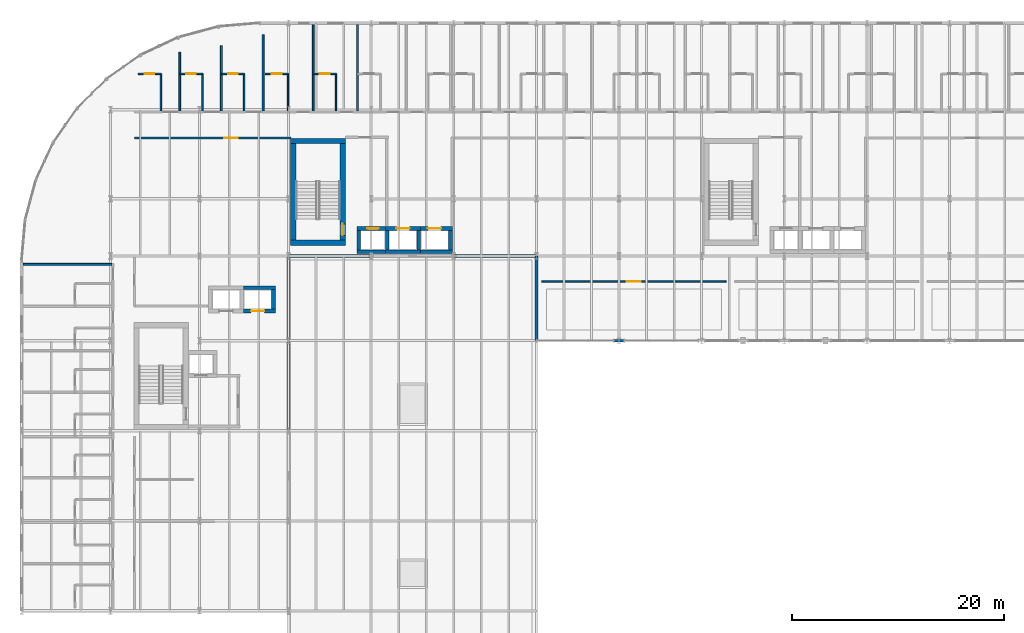
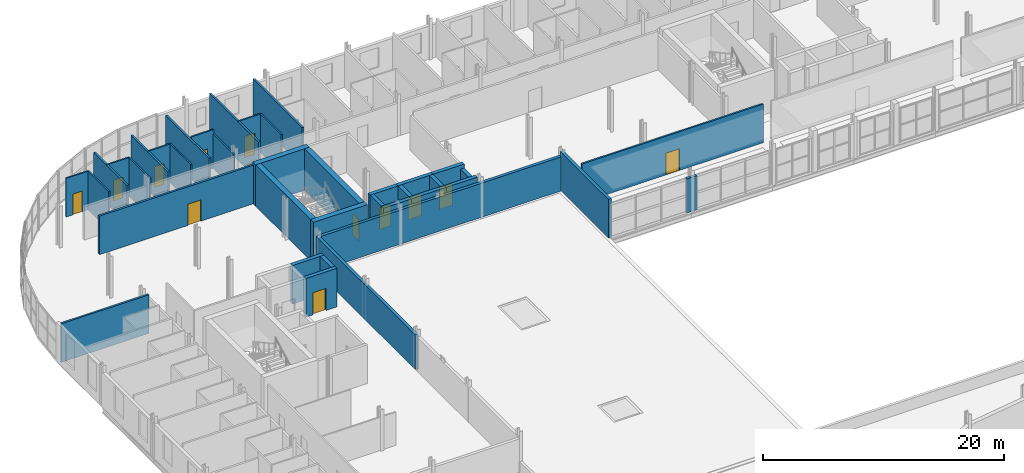
# One storey, part 43 of 58: 39 walls, 12 doors, 12 openings.
"""IFC4 building model written with IfcOpenShell, lengths in metres."""

from ifc_helpers import new_model, si_unit, direction, frame, frame_2d, origin, place, context, subcontext, project, spatial, rectangle, extrude, material, layer, layer_set, type_object, element, fill, save


model = new_model("IFC4")

# Units and contexts
model_context = context("Model", 3, precision=1e-05, world=origin(), true_north=direction((0.0, 1.0)))
body_context = subcontext(model_context, "Body", "Model", "MODEL_VIEW")
ifc_project = project(units=[si_unit("LENGTHUNIT", "METRE"), si_unit("AREAUNIT", "SQUARE_METRE"), si_unit("VOLUMEUNIT", "CUBIC_METRE"), si_unit("PLANEANGLEUNIT", "RADIAN"), si_unit("MASSUNIT", "GRAM", prefix="KILO")], contexts=[model_context])

# Site, building, storey
site_placement = place(None, origin())
site = spatial("IfcSite", under=ifc_project, at=site_placement, CompositionType="ELEMENT")
building_placement = place(site_placement, origin())
building = spatial("IfcBuilding", under=site, at=building_placement, Name="Sefraquen Railside Congress Hotel", CompositionType="ELEMENT")
storey_placement = place(building_placement, frame((0.0, 0.0, 16.199951171875)))
storey = spatial("IfcBuildingStorey", under=building, at=storey_placement, Name="L03", CompositionType="ELEMENT", Elevation=16.199951171875)

# Wall, opening, door
ifc_material_1 = material(Name="Concrete C50/60", Category="concrete")
ifc_layer_1 = layer(ifc_material_1, 0.35009765625)
ifc_layer_set_1 = layer_set([ifc_layer_1], Name="Concrete C50/60")
wall_type_1 = type_object("IfcWallType", Name="TW-CW-350", PredefinedType="SHEAR", material=ifc_layer_set_1)
wall_1_placement = place(storey_placement, frame((31.639892578125, 98.594970703125, 0.0), z_axis=(0.0, 0.0, 1.0), x_axis=(1.0, 0.0, 0.0)))
wall_1 = element("IfcWall", 1, at=wall_1_placement, inside=storey, type_object=wall_type_1, Name="Lift FL-02 shaft wall N L03", PredefinedType="SHEAR", context=body_context, shape_type="SweptSolid", body=[
    extrude(rectangle(XDim=2.690185546875, YDim=0.35009765625, at=frame_2d((1.34521484375, 0.0))), origin(), (0.0, 0.0, 1.0), 3.920166015625),
])
opening_1_placement = place(wall_1_placement, frame((0.969970703125, 0.0, 0.0)))
opening_1 = element("IfcOpeningElement", 2, at=opening_1_placement, cuts=wall_1, Name="Opening LD-01", PredefinedType="OPENING", context=body_context, shape_type="SweptSolid", body=[
    extrude(rectangle(XDim=1.10009765625, YDim=2.199951171875, at=frame_2d((0.550048828125, 1.10009765625))), frame((0.0, 0.18505859375, 0.0), z_axis=(0.0, -1.0, 0.0), x_axis=(1.0, 0.0, 0.0)), (0.0, 0.0, 1.0), 0.3701171875),
])
ifc_material_2 = material(Name="Brushed bronze stainless steel", Category="steel")
door_type_1 = type_object("IfcDoorType", Name="TD-LD-01", OperationType="NOTDEFINED", PredefinedType="DOOR", material=ifc_material_2)
door_1_placement = place(opening_1_placement, origin())
door_1 = element("IfcDoor", 3, at=door_1_placement, inside=storey, type_object=door_type_1, Name="Lift landing door FL-02 L03", OperationType="SLIDING_TO_LEFT", OverallHeight=2.199951171875, OverallWidth=1.10009765625, PredefinedType="DOOR", context=body_context, shape_type="SweptSolid", body=[
    extrude(rectangle(XDim=1.10009765625, YDim=2.199951171875, at=frame_2d((0.550048828125, 1.10009765625))), frame((0.0, 0.02490234375, 0.0), z_axis=(0.0, -1.0, 0.0), x_axis=(1.0, 0.0, 0.0)), (0.0, 0.0, 1.0), 0.050048828125),
])
fill(opening_1, door_1)

# Walls
wall_2_placement = place(storey_placement, frame((31.639892578125, 96.405029296875, 0.0), z_axis=(0.0, 0.0, 1.0), x_axis=(1.0, 0.0, 0.0)))
element("IfcWall", 4, at=wall_2_placement, inside=storey, type_object=wall_type_1, Name="Lift FL-02 shaft wall S L03", PredefinedType="SHEAR", context=body_context, shape_type="SweptSolid", body=[
    extrude(rectangle(XDim=2.690185546875, YDim=0.35009765625, at=frame_2d((1.34521484375, 0.0))), origin(), (0.0, 0.0, 1.0), 3.920166015625),
])
wall_3_placement = place(storey_placement, frame((31.81494140625, 96.580078125, 0.0), z_axis=(0.0, 0.0, 1.0), x_axis=(0.0, 1.0, 0.0)))
element("IfcWall", 5, at=wall_3_placement, inside=storey, type_object=wall_type_1, Name="Lift FL-02 shaft wall W L03", PredefinedType="SHEAR", context=body_context, shape_type="SweptSolid", body=[
    extrude(rectangle(XDim=1.83984375, YDim=0.35009765625, at=frame_2d((0.919921875, 0.0))), origin(), (0.0, 0.0, 1.0), 3.920166015625),
])
wall_4_placement = place(storey_placement, frame((20.969970703125, 92.9951171875, 0.0), z_axis=(0.0, 0.0, 1.0), x_axis=(1.0, 0.0, 0.0)))
element("IfcWall", 6, at=wall_4_placement, inside=storey, type_object=wall_type_1, Name="Lift PL-02 shaft wall N L03", PredefinedType="SHEAR", context=body_context, shape_type="SweptSolid", body=[
    extrude(rectangle(XDim=2.989990234375, YDim=0.35009765625, at=frame_2d((1.4951171875, 0.0))), origin(), (0.0, 0.0, 1.0), 3.920166015625),
])

# Wall, opening, door
wall_5_placement = place(storey_placement, frame((20.969970703125, 90.804931640625, 0.0), z_axis=(0.0, 0.0, 1.0), x_axis=(1.0, 0.0, 0.0)))
wall_5 = element("IfcWall", 7, at=wall_5_placement, inside=storey, type_object=wall_type_1, Name="Lift PL-02 shaft wall S L03", PredefinedType="SHEAR", context=body_context, shape_type="SweptSolid", body=[
    extrude(rectangle(XDim=2.989990234375, YDim=0.35009765625, at=frame_2d((1.4951171875, 0.0))), origin(), (0.0, 0.0, 1.0), 3.920166015625),
])
opening_2_placement = place(wall_5_placement, frame((0.695068359375, 0.0, 0.0)))
opening_2 = element("IfcOpeningElement", 8, at=opening_2_placement, cuts=wall_5, Name="Opening LD-02", PredefinedType="OPENING", context=body_context, shape_type="SweptSolid", body=[
    extrude(rectangle(XDim=1.25, YDim=2.25, at=frame_2d((0.625, 1.125))), frame((0.0, 0.18505859375, 0.0), z_axis=(0.0, -1.0, 0.0), x_axis=(1.0, 0.0, 0.0)), (0.0, 0.0, 1.0), 0.3701171875),
])
ifc_material_3 = material(Name="Brushed stainless steel", Category="steel")
door_type_2 = type_object("IfcDoorType", Name="TD-LD-02", OperationType="NOTDEFINED", PredefinedType="DOOR", material=ifc_material_3)
door_2_placement = place(opening_2_placement, origin())
door_2 = element("IfcDoor", 9, at=door_2_placement, inside=storey, type_object=door_type_2, Name="Lift landing door PL-02 L03", OperationType="SLIDING_TO_LEFT", OverallHeight=2.25, OverallWidth=1.25, PredefinedType="DOOR", context=body_context, shape_type="SweptSolid", body=[
    extrude(rectangle(XDim=1.25, YDim=2.25, at=frame_2d((0.625, 1.125))), frame((0.0, 0.02490234375, 0.0), z_axis=(0.0, -1.0, 0.0), x_axis=(1.0, 0.0, 0.0)), (0.0, 0.0, 1.0), 0.050048828125),
])
fill(opening_2, door_2)

# Wall
wall_6_placement = place(storey_placement, frame((23.784912109375, 90.97998046875, 0.0), z_axis=(0.0, 0.0, 1.0), x_axis=(0.0, 1.0, 0.0)))
element("IfcWall", 10, at=wall_6_placement, inside=storey, type_object=wall_type_1, Name="Lift PL-02 shaft wall E L03", PredefinedType="SHEAR", context=body_context, shape_type="SweptSolid", body=[
    extrude(rectangle(XDim=1.840087890625, YDim=0.35009765625, at=frame_2d((0.919921875, 0.0))), origin(), (0.0, 0.0, 1.0), 3.920166015625),
])

# Wall, opening, door
wall_7_placement = place(storey_placement, frame((34.330078125, 98.594970703125, 0.0), z_axis=(0.0, 0.0, 1.0), x_axis=(1.0, 0.0, 0.0)))
wall_7 = element("IfcWall", 11, at=wall_7_placement, inside=storey, type_object=wall_type_1, Name="Lift PL-03 shaft wall N L03", PredefinedType="SHEAR", context=body_context, shape_type="SweptSolid", body=[
    extrude(rectangle(XDim=3.33984375, YDim=0.35009765625, at=frame_2d((1.669921875, 0.0))), origin(), (0.0, 0.0, 1.0), 3.920166015625),
])
opening_3_placement = place(wall_7_placement, frame((1.044921875, 0.0, 0.0)))
opening_3 = element("IfcOpeningElement", 12, at=opening_3_placement, cuts=wall_7, Name="Opening LD-02", PredefinedType="OPENING", context=body_context, shape_type="SweptSolid", body=[
    extrude(rectangle(XDim=1.25, YDim=2.25, at=frame_2d((0.625, 1.125))), frame((0.0, 0.18505859375, 0.0), z_axis=(0.0, -1.0, 0.0), x_axis=(1.0, 0.0, 0.0)), (0.0, 0.0, 1.0), 0.3701171875),
])
door_3_placement = place(opening_3_placement, origin())
door_3 = element("IfcDoor", 13, at=door_3_placement, inside=storey, type_object=door_type_2, Name="Lift landing door PL-03 L03", OperationType="SLIDING_TO_LEFT", OverallHeight=2.25, OverallWidth=1.25, PredefinedType="DOOR", context=body_context, shape_type="SweptSolid", body=[
    extrude(rectangle(XDim=1.25, YDim=2.25, at=frame_2d((0.625, 1.125))), frame((0.0, 0.02490234375, 0.0), z_axis=(0.0, -1.0, 0.0), x_axis=(1.0, 0.0, 0.0)), (0.0, 0.0, 1.0), 0.050048828125),
])
fill(opening_3, door_3)

# Walls
wall_8_placement = place(storey_placement, frame((34.330078125, 96.405029296875, 0.0), z_axis=(0.0, 0.0, 1.0), x_axis=(1.0, 0.0, 0.0)))
element("IfcWall", 14, at=wall_8_placement, inside=storey, type_object=wall_type_1, Name="Lift PL-03 shaft wall S L03", PredefinedType="SHEAR", context=body_context, shape_type="SweptSolid", body=[
    extrude(rectangle(XDim=3.33984375, YDim=0.35009765625, at=frame_2d((1.669921875, 0.0))), origin(), (0.0, 0.0, 1.0), 3.920166015625),
])
for number, where, z_axis, x_axis, name in (
    (15, (34.5048828125, 96.580078125, 0.0), (0.0, 0.0, 1.0), (0.0, 1.0, 0.0), "Lift PL-03 shaft wall W L03"),
    (16, (37.4951171875, 96.580078125, 0.0), (0.0, 0.0, 1.0), (0.0, 1.0, 0.0), "Lift PL-03 shaft wall E L03"),
):
    element("IfcWall", number, at=place(storey_placement, frame(where, z_axis=z_axis, x_axis=x_axis)), inside=storey, type_object=wall_type_1, Name=name, PredefinedType="SHEAR", context=body_context, shape_type="SweptSolid", body=[
        extrude(rectangle(XDim=1.83984375, YDim=0.35009765625, at=frame_2d((0.919921875, 0.0))), origin(), (0.0, 0.0, 1.0), 3.920166015625),
    ])

# Wall, opening, door
wall_9_placement = place(storey_placement, frame((37.669921875, 98.594970703125, 0.0), z_axis=(0.0, 0.0, 1.0), x_axis=(1.0, 0.0, 0.0)))
wall_9 = element("IfcWall", 17, at=wall_9_placement, inside=storey, type_object=wall_type_1, Name="Lift PL-04 shaft wall N L03", PredefinedType="SHEAR", context=body_context, shape_type="SweptSolid", body=[
    extrude(rectangle(XDim=2.989990234375, YDim=0.35009765625, at=frame_2d((1.4951171875, 0.0))), origin(), (0.0, 0.0, 1.0), 3.920166015625),
])
opening_4_placement = place(wall_9_placement, frame((0.695068359375, 0.0, 0.0)))
opening_4 = element("IfcOpeningElement", 18, at=opening_4_placement, cuts=wall_9, Name="Opening LD-02", PredefinedType="OPENING", context=body_context, shape_type="SweptSolid", body=[
    extrude(rectangle(XDim=1.25, YDim=2.25, at=frame_2d((0.625, 1.125))), frame((0.0, 0.18505859375, 0.0), z_axis=(0.0, -1.0, 0.0), x_axis=(1.0, 0.0, 0.0)), (0.0, 0.0, 1.0), 0.3701171875),
])
door_4_placement = place(opening_4_placement, origin())
door_4 = element("IfcDoor", 19, at=door_4_placement, inside=storey, type_object=door_type_2, Name="Lift landing door PL-04 L03", OperationType="SLIDING_TO_LEFT", OverallHeight=2.25, OverallWidth=1.25, PredefinedType="DOOR", context=body_context, shape_type="SweptSolid", body=[
    extrude(rectangle(XDim=1.25, YDim=2.25, at=frame_2d((0.625, 1.125))), frame((0.0, 0.02490234375, 0.0), z_axis=(0.0, -1.0, 0.0), x_axis=(1.0, 0.0, 0.0)), (0.0, 0.0, 1.0), 0.050048828125),
])
fill(opening_4, door_4)

# Walls
wall_10_placement = place(storey_placement, frame((37.669921875, 96.405029296875, 0.0), z_axis=(0.0, 0.0, 1.0), x_axis=(1.0, 0.0, 0.0)))
element("IfcWall", 20, at=wall_10_placement, inside=storey, type_object=wall_type_1, Name="Lift PL-04 shaft wall S L03", PredefinedType="SHEAR", context=body_context, shape_type="SweptSolid", body=[
    extrude(rectangle(XDim=2.989990234375, YDim=0.35009765625, at=frame_2d((1.4951171875, 0.0))), origin(), (0.0, 0.0, 1.0), 3.920166015625),
])
wall_11_placement = place(storey_placement, frame((40.485107421875, 96.580078125, 0.0), z_axis=(0.0, 0.0, 1.0), x_axis=(0.0, 1.0, 0.0)))
element("IfcWall", 21, at=wall_11_placement, inside=storey, type_object=wall_type_1, Name="Lift PL-04 shaft wall E L03", PredefinedType="SHEAR", context=body_context, shape_type="SweptSolid", body=[
    extrude(rectangle(XDim=1.83984375, YDim=0.35009765625, at=frame_2d((0.919921875, 0.0))), origin(), (0.0, 0.0, 1.0), 3.510009765625),
])
ifc_layer_2 = layer(ifc_material_1, 0.5)
ifc_layer_set_2 = layer_set([ifc_layer_2], Name="Concrete C50/60")
wall_type_2 = type_object("IfcWallType", Name="TW-CW-500", PredefinedType="SHEAR", material=ifc_layer_set_2)
for number, where, z_axis, x_axis, name in (
    (22, (25.39990234375, 106.862060546875, 0.0), (0.0, 0.0, 1.0), (1.0, 0.0, 0.0), "Core shear wall ST-H02 N L03"),
    (23, (25.39990234375, 97.25, 0.0), (0.0, 0.0, 1.0), (1.0, 0.0, 0.0), "Core shear wall ST-H02 S L03"),
):
    element("IfcWall", number, at=place(storey_placement, frame(where, z_axis=z_axis, x_axis=x_axis)), inside=storey, type_object=wall_type_2, Name=name, PredefinedType="SHEAR", context=body_context, shape_type="SweptSolid", body=[
        extrude(rectangle(XDim=5.16015625, YDim=0.5, at=frame_2d((2.580078125, 0.0))), origin(), (0.0, 0.0, 1.0), 4.199951171875),
    ])
wall_12_placement = place(storey_placement, frame((25.64990234375, 97.5, 0.0), z_axis=(0.0, 0.0, 1.0), x_axis=(0.0, 1.0, 0.0)))
element("IfcWall", 24, at=wall_12_placement, inside=storey, type_object=wall_type_2, Name="Core shear wall ST-H02 W L03", PredefinedType="SHEAR", context=body_context, shape_type="SweptSolid", body=[
    extrude(rectangle(XDim=9.112060546875, YDim=0.5, at=frame_2d((4.55615234375, 0.0))), origin(), (0.0, 0.0, 1.0), 4.199951171875),
])

# Wall, opening, door
wall_13_placement = place(storey_placement, frame((30.31005859375, 97.5, 0.0), z_axis=(0.0, 0.0, 1.0), x_axis=(0.0, 1.0, 0.0)))
wall_13 = element("IfcWall", 25, at=wall_13_placement, inside=storey, type_object=wall_type_2, Name="Core shear wall ST-H02 E L03", PredefinedType="SHEAR", context=body_context, shape_type="SweptSolid", body=[
    extrude(rectangle(XDim=9.112060546875, YDim=0.5, at=frame_2d((4.55615234375, 0.0))), origin(), (0.0, 0.0, 1.0), 4.199951171875),
])
opening_5_placement = place(wall_13_placement, frame((0.43994140625, 0.0, 0.0)))
opening_5 = element("IfcOpeningElement", 26, at=opening_5_placement, cuts=wall_13, Name="Opening FD-04", PredefinedType="OPENING", context=body_context, shape_type="SweptSolid", body=[
    extrude(rectangle(XDim=1.10009765625, YDim=2.199951171875, at=frame_2d((0.550048828125, 1.10009765625))), frame((0.0, 0.260009765625, 0.0), z_axis=(0.0, -1.0, 0.0), x_axis=(1.0, 0.0, 0.0)), (0.0, 0.0, 1.0), 0.52001953125),
])
ifc_material_4 = material(Name="Fire-rated steel", Category="steel")
door_type_3 = type_object("IfcDoorType", Name="TD-FD-04", OperationType="NOTDEFINED", PredefinedType="DOOR", material=ifc_material_4)
door_5_placement = place(opening_5_placement, origin())
door_5 = element("IfcDoor", 27, at=door_5_placement, inside=storey, type_object=door_type_3, Name="Pressurized stair ST-H02 fire door L03", OperationType="SINGLE_SWING_LEFT", OverallHeight=2.199951171875, OverallWidth=1.10009765625, PredefinedType="DOOR", context=body_context, shape_type="SweptSolid", body=[
    extrude(rectangle(XDim=1.10009765625, YDim=2.199951171875, at=frame_2d((0.550048828125, 1.10009765625))), frame((0.0, 0.02490234375, 0.0), z_axis=(0.0, -1.0, 0.0), x_axis=(1.0, 0.0, 0.0)), (0.0, 0.0, 1.0), 0.050048828125),
])
fill(opening_5, door_5)

# Walls
ifc_material_5 = material(Name="Ochre Rabat calcarenite limestone and Concrete C40/50 backing", Category="masonry")
ifc_layer_3 = layer(ifc_material_5, 0.280029296875)
ifc_layer_set_3 = layer_set([ifc_layer_3], Name="Ochre Rabat calcarenite limestone and Concrete C40/50 backing")
wall_type_3 = type_object("IfcWallType", Name="TW-EW-280", PredefinedType="STANDARD", material=ifc_layer_set_3)
wall_14_placement = place(storey_placement, frame((55.919921875, 88.0, 0.0), z_axis=(0.0, 0.0, 1.0), x_axis=(1.0, 0.0, 0.0)))
element("IfcWall", 28, at=wall_14_placement, inside=storey, type_object=wall_type_3, Name="Meeting Wing L03 courtyard north curtain wall 1 column pier closure 1", PredefinedType="STANDARD", context=body_context, shape_type="SweptSolid", body=[
    extrude(rectangle(XDim=0.9599609375, YDim=0.260009765625, at=frame_2d((0.47998046875, 0.0))), origin(), (0.0, 0.0, 1.0), 3.4599609375),
])
wall_15_placement = place(storey_placement, frame((48.60009765625, 88.0, 0.0), z_axis=(0.0, 0.0, 1.0), x_axis=(0.0, 1.0, 0.0)))
element("IfcWall", 29, at=wall_15_placement, inside=storey, type_object=wall_type_3, Name="Meeting Wing L03 west terrace-side facade wall", PredefinedType="STANDARD", context=body_context, shape_type="SweptSolid", body=[
    extrude(rectangle(XDim=8.0, YDim=0.280029296875, at=frame_2d((4.0, 0.0))), origin(), (0.0, 0.0, 1.0), 3.920166015625),
])
wall_16_placement = place(storey_placement, frame((25.199951171875, 96.0, 0.0), z_axis=(0.0, 0.0, 1.0), x_axis=(1.0, 0.0, 0.0)))
element("IfcWall", 30, at=wall_16_placement, inside=storey, type_object=wall_type_3, Name="Hotel L03 south west-foyer setback wall", PredefinedType="STANDARD", context=body_context, shape_type="SweptSolid", body=[
    extrude(rectangle(XDim=23.400146484375, YDim=0.280029296875, at=frame_2d((11.7001953125, 0.0))), origin(), (0.0, 0.0, 1.0), 3.4599609375),
])
wall_17_placement = place(storey_placement, frame((25.199951171875, 79.5, 0.0), z_axis=(0.0, 0.0, 1.0), x_axis=(0.0, 1.0, 0.0)))
element("IfcWall", 31, at=wall_17_placement, inside=storey, type_object=wall_type_3, Name="Hotel L03 courtyard return wall", PredefinedType="STANDARD", context=body_context, shape_type="SweptSolid", body=[
    extrude(rectangle(XDim=16.5, YDim=0.280029296875, at=frame_2d((8.25, 0.0))), origin(), (0.0, 0.0, 1.0), 3.510009765625),
])
ifc_material_6 = material(Name="Moisture-resistant gypsum board", Category="gypsum")
ifc_layer_4 = layer(ifc_material_6, 0.139892578125)
ifc_layer_set_4 = layer_set([ifc_layer_4], Name="Moisture-resistant gypsum board")
wall_type_4 = type_object("IfcWallType", Name="TW-PW-140", PredefinedType="PARTITIONING", material=ifc_layer_set_4)
wall_18_placement = place(storey_placement, frame((25.14990234375, 109.699951171875, 0.0), z_axis=(0.0, 0.0, 1.0), x_axis=(0.0, 1.0, 0.0)))
element("IfcWall", 32, at=wall_18_placement, inside=storey, type_object=wall_type_4, Name="En-suite bathroom east wall RM-001", PredefinedType="PARTITIONING", context=body_context, shape_type="SweptSolid", body=[
    extrude(rectangle(XDim=3.5, YDim=0.139892578125, at=frame_2d((1.75, 0.0))), origin(), (0.0, 0.0, 1.0), 3.510009765625),
])

# Wall, opening, door
wall_19_placement = place(storey_placement, frame((23.0, 113.199951171875, 0.0), z_axis=(0.0, 0.0, 1.0), x_axis=(1.0, 0.0, 0.0)))
wall_19 = element("IfcWall", 33, at=wall_19_placement, inside=storey, type_object=wall_type_4, Name="En-suite bathroom north wall RM-001", PredefinedType="PARTITIONING", context=body_context, shape_type="SweptSolid", body=[
    extrude(rectangle(XDim=2.14990234375, YDim=0.139892578125, at=frame_2d((1.074951171875, 0.0))), origin(), (0.0, 0.0, 1.0), 3.920166015625),
])
opening_6_placement = place(wall_19_placement, frame((0.60498046875, 0.0, 0.0)))
opening_6 = element("IfcOpeningElement", 34, at=opening_6_placement, cuts=wall_19, Name="Opening ID-01", PredefinedType="OPENING", context=body_context, shape_type="SweptSolid", body=[
    extrude(rectangle(XDim=0.93994140625, YDim=2.14990234375, at=frame_2d((0.469970703125, 1.074951171875))), frame((0.0, 0.079833984375, 0.0), z_axis=(0.0, -1.0, 0.0), x_axis=(1.0, 0.0, 0.0)), (0.0, 0.0, 1.0), 0.159912109375),
])
ifc_material_7 = material(Name="Lacquered cedar joinery", Category="wood")
door_type_4 = type_object("IfcDoorType", Name="TD-ID-01", OperationType="NOTDEFINED", PredefinedType="DOOR", material=ifc_material_7)
door_6_placement = place(opening_6_placement, origin())
door_6 = element("IfcDoor", 35, at=door_6_placement, inside=storey, type_object=door_type_4, Name="En-suite bathroom door RM-001", OperationType="SINGLE_SWING_LEFT", OverallHeight=2.14990234375, OverallWidth=0.93994140625, PredefinedType="DOOR", context=body_context, shape_type="SweptSolid", body=[
    extrude(rectangle(XDim=0.93994140625, YDim=2.14990234375, at=frame_2d((0.469970703125, 1.074951171875))), frame((0.0, 0.02490234375, 0.0), z_axis=(0.0, -1.0, 0.0), x_axis=(1.0, 0.0, 0.0)), (0.0, 0.0, 1.0), 0.050048828125),
])
fill(opening_6, door_6)

# Wall
wall_20_placement = place(storey_placement, frame((29.680908203125, 109.699951171875, 0.0), z_axis=(0.0, 0.0, 1.0), x_axis=(0.0, 1.0, 0.0)))
element("IfcWall", 36, at=wall_20_placement, inside=storey, type_object=wall_type_4, Name="En-suite bathroom east wall RM-002", PredefinedType="PARTITIONING", context=body_context, shape_type="SweptSolid", body=[
    extrude(rectangle(XDim=3.5, YDim=0.139892578125, at=frame_2d((1.75, 0.0))), origin(), (0.0, 0.0, 1.0), 3.920166015625),
])

# Wall, opening, door
wall_21_placement = place(storey_placement, frame((27.531005859375, 113.199951171875, 0.0), z_axis=(0.0, 0.0, 1.0), x_axis=(1.0, 0.0, 0.0)))
wall_21 = element("IfcWall", 37, at=wall_21_placement, inside=storey, type_object=wall_type_4, Name="En-suite bathroom north wall RM-002", PredefinedType="PARTITIONING", context=body_context, shape_type="SweptSolid", body=[
    extrude(rectangle(XDim=2.14990234375, YDim=0.139892578125, at=frame_2d((1.074951171875, 0.0))), origin(), (0.0, 0.0, 1.0), 3.920166015625),
])
opening_7_placement = place(wall_21_placement, frame((0.60498046875, 0.0, 0.0)))
opening_7 = element("IfcOpeningElement", 38, at=opening_7_placement, cuts=wall_21, Name="Opening ID-01", PredefinedType="OPENING", context=body_context, shape_type="SweptSolid", body=[
    extrude(rectangle(XDim=0.93994140625, YDim=2.14990234375, at=frame_2d((0.469970703125, 1.074951171875))), frame((0.0, 0.079833984375, 0.0), z_axis=(0.0, -1.0, 0.0), x_axis=(1.0, 0.0, 0.0)), (0.0, 0.0, 1.0), 0.159912109375),
])
door_7_placement = place(opening_7_placement, origin())
door_7 = element("IfcDoor", 39, at=door_7_placement, inside=storey, type_object=door_type_4, Name="En-suite bathroom door RM-002", OperationType="SINGLE_SWING_LEFT", OverallHeight=2.14990234375, OverallWidth=0.93994140625, PredefinedType="DOOR", context=body_context, shape_type="SweptSolid", body=[
    extrude(rectangle(XDim=0.93994140625, YDim=2.14990234375, at=frame_2d((0.469970703125, 1.074951171875))), frame((0.0, 0.02490234375, 0.0), z_axis=(0.0, -1.0, 0.0), x_axis=(1.0, 0.0, 0.0)), (0.0, 0.0, 1.0), 0.050048828125),
])
fill(opening_7, door_7)

# Wall
wall_22_placement = place(storey_placement, frame((13.14990234375, 109.699951171875, 0.0), z_axis=(0.0, 0.0, 1.0), x_axis=(0.0, 1.0, 0.0)))
element("IfcWall", 40, at=wall_22_placement, inside=storey, type_object=wall_type_4, Name="En-suite bathroom east wall RM-031", PredefinedType="PARTITIONING", context=body_context, shape_type="SweptSolid", body=[
    extrude(rectangle(XDim=3.5, YDim=0.139892578125, at=frame_2d((1.75, 0.0))), origin(), (0.0, 0.0, 1.0), 3.920166015625),
])

# Wall, opening, door
wall_23_placement = place(storey_placement, frame((11.0, 113.199951171875, 0.0), z_axis=(0.0, 0.0, 1.0), x_axis=(1.0, 0.0, 0.0)))
wall_23 = element("IfcWall", 41, at=wall_23_placement, inside=storey, type_object=wall_type_4, Name="En-suite bathroom north wall RM-031", PredefinedType="PARTITIONING", context=body_context, shape_type="SweptSolid", body=[
    extrude(rectangle(XDim=2.14990234375, YDim=0.139892578125, at=frame_2d((1.074951171875, 0.0))), origin(), (0.0, 0.0, 1.0), 3.920166015625),
])
opening_8_placement = place(wall_23_placement, frame((0.625, 0.0, 0.0)))
opening_8 = element("IfcOpeningElement", 42, at=opening_8_placement, cuts=wall_23, Name="Opening ID-02", PredefinedType="OPENING", context=body_context, shape_type="SweptSolid", body=[
    extrude(rectangle(XDim=0.89990234375, YDim=2.10009765625, at=frame_2d((0.449951171875, 1.050048828125))), frame((0.0, 0.079833984375, 0.0), z_axis=(0.0, -1.0, 0.0), x_axis=(1.0, 0.0, 0.0)), (0.0, 0.0, 1.0), 0.159912109375),
])
door_type_5 = type_object("IfcDoorType", Name="TD-ID-02", OperationType="NOTDEFINED", PredefinedType="DOOR", material=ifc_material_7)
door_8_placement = place(opening_8_placement, origin())
door_8 = element("IfcDoor", 43, at=door_8_placement, inside=storey, type_object=door_type_5, Name="En-suite bathroom door RM-031", OperationType="SINGLE_SWING_RIGHT", OverallHeight=2.10009765625, OverallWidth=0.89990234375, PredefinedType="DOOR", context=body_context, shape_type="SweptSolid", body=[
    extrude(rectangle(XDim=0.89990234375, YDim=2.10009765625, at=frame_2d((0.449951171875, 1.050048828125))), frame((0.0, 0.02490234375, 0.0), z_axis=(0.0, -1.0, 0.0), x_axis=(1.0, 0.0, 0.0)), (0.0, 0.0, 1.0), 0.050048828125),
])
fill(opening_8, door_8)

# Wall
wall_24_placement = place(storey_placement, frame((17.0830078125, 109.699951171875, 0.0), z_axis=(0.0, 0.0, 1.0), x_axis=(0.0, 1.0, 0.0)))
element("IfcWall", 44, at=wall_24_placement, inside=storey, type_object=wall_type_4, Name="En-suite bathroom east wall RM-032", PredefinedType="PARTITIONING", context=body_context, shape_type="SweptSolid", body=[
    extrude(rectangle(XDim=3.5, YDim=0.139892578125, at=frame_2d((1.75, 0.0))), origin(), (0.0, 0.0, 1.0), 3.920166015625),
])

# Wall, opening, door
wall_25_placement = place(storey_placement, frame((14.93310546875, 113.199951171875, 0.0), z_axis=(0.0, 0.0, 1.0), x_axis=(1.0, 0.0, 0.0)))
wall_25 = element("IfcWall", 45, at=wall_25_placement, inside=storey, type_object=wall_type_4, Name="En-suite bathroom north wall RM-032", PredefinedType="PARTITIONING", context=body_context, shape_type="SweptSolid", body=[
    extrude(rectangle(XDim=2.14990234375, YDim=0.139892578125, at=frame_2d((1.074951171875, 0.0))), origin(), (0.0, 0.0, 1.0), 3.920166015625),
])
opening_9_placement = place(wall_25_placement, frame((0.625, 0.0, 0.0)))
opening_9 = element("IfcOpeningElement", 46, at=opening_9_placement, cuts=wall_25, Name="Opening ID-02", PredefinedType="OPENING", context=body_context, shape_type="SweptSolid", body=[
    extrude(rectangle(XDim=0.89990234375, YDim=2.10009765625, at=frame_2d((0.449951171875, 1.050048828125))), frame((0.0, 0.079833984375, 0.0), z_axis=(0.0, -1.0, 0.0), x_axis=(1.0, 0.0, 0.0)), (0.0, 0.0, 1.0), 0.159912109375),
])
door_9_placement = place(opening_9_placement, origin())
door_9 = element("IfcDoor", 47, at=door_9_placement, inside=storey, type_object=door_type_5, Name="En-suite bathroom door RM-032", OperationType="SINGLE_SWING_LEFT", OverallHeight=2.10009765625, OverallWidth=0.89990234375, PredefinedType="DOOR", context=body_context, shape_type="SweptSolid", body=[
    extrude(rectangle(XDim=0.89990234375, YDim=2.10009765625, at=frame_2d((0.449951171875, 1.050048828125))), frame((0.0, 0.02490234375, 0.0), z_axis=(0.0, -1.0, 0.0), x_axis=(1.0, 0.0, 0.0)), (0.0, 0.0, 1.0), 0.050048828125),
])
fill(opening_9, door_9)

# Wall
wall_26_placement = place(storey_placement, frame((21.01708984375, 109.699951171875, 0.0), z_axis=(0.0, 0.0, 1.0), x_axis=(0.0, 1.0, 0.0)))
element("IfcWall", 48, at=wall_26_placement, inside=storey, type_object=wall_type_4, Name="En-suite bathroom east wall RM-033", PredefinedType="PARTITIONING", context=body_context, shape_type="SweptSolid", body=[
    extrude(rectangle(XDim=3.5, YDim=0.139892578125, at=frame_2d((1.75, 0.0))), origin(), (0.0, 0.0, 1.0), 3.920166015625),
])

# Wall, opening, door
wall_27_placement = place(storey_placement, frame((18.866943359375, 113.199951171875, 0.0), z_axis=(0.0, 0.0, 1.0), x_axis=(1.0, 0.0, 0.0)))
wall_27 = element("IfcWall", 49, at=wall_27_placement, inside=storey, type_object=wall_type_4, Name="En-suite bathroom north wall RM-033", PredefinedType="PARTITIONING", context=body_context, shape_type="SweptSolid", body=[
    extrude(rectangle(XDim=2.150146484375, YDim=0.139892578125, at=frame_2d((1.0751953125, 0.0))), origin(), (0.0, 0.0, 1.0), 3.920166015625),
])
opening_10_placement = place(wall_27_placement, frame((0.625, 0.0, 0.0)))
opening_10 = element("IfcOpeningElement", 50, at=opening_10_placement, cuts=wall_27, Name="Opening ID-02", PredefinedType="OPENING", context=body_context, shape_type="SweptSolid", body=[
    extrude(rectangle(XDim=0.89990234375, YDim=2.10009765625, at=frame_2d((0.449951171875, 1.050048828125))), frame((0.0, 0.079833984375, 0.0), z_axis=(0.0, -1.0, 0.0), x_axis=(1.0, 0.0, 0.0)), (0.0, 0.0, 1.0), 0.159912109375),
])
door_10_placement = place(opening_10_placement, origin())
door_10 = element("IfcDoor", 51, at=door_10_placement, inside=storey, type_object=door_type_5, Name="En-suite bathroom door RM-033", OperationType="SINGLE_SWING_RIGHT", OverallHeight=2.10009765625, OverallWidth=0.89990234375, PredefinedType="DOOR", context=body_context, shape_type="SweptSolid", body=[
    extrude(rectangle(XDim=0.89990234375, YDim=2.10009765625, at=frame_2d((0.449951171875, 1.050048828125))), frame((0.0, 0.02490234375, 0.0), z_axis=(0.0, -1.0, 0.0), x_axis=(1.0, 0.0, 0.0)), (0.0, 0.0, 1.0), 0.050048828125),
])
fill(opening_10, door_10)

ifc_layer_5 = layer(ifc_material_6, 0.159912109375)
ifc_layer_set_5 = layer_set([ifc_layer_5], Name="Moisture-resistant gypsum board")
wall_type_5 = type_object("IfcWallType", Name="TW-PW-160", PredefinedType="PARTITIONING", material=ifc_layer_set_5)
wall_28_placement = place(storey_placement, frame((49.10009765625, 93.60009765625, 0.0), z_axis=(0.0, 0.0, 1.0), x_axis=(1.0, 0.0, 0.0)))
wall_28 = element("IfcWall", 52, at=wall_28_placement, inside=storey, type_object=wall_type_5, Name="Meeting Room 05 enclosure wall", PredefinedType="PARTITIONING", context=body_context, shape_type="SweptSolid", body=[
    extrude(rectangle(XDim=17.39990234375, YDim=0.159912109375, at=frame_2d((8.699951171875, 0.0))), origin(), (0.0, 0.0, 1.0), 3.920166015625),
])
opening_11_placement = place(wall_28_placement, frame((8.050048828125, 0.0, 0.0)))
opening_11 = element("IfcOpeningElement", 53, at=opening_11_placement, cuts=wall_28, Name="Opening MD-02", PredefinedType="OPENING", context=body_context, shape_type="SweptSolid", body=[
    extrude(rectangle(XDim=1.300048828125, YDim=2.199951171875, at=frame_2d((0.64990234375, 1.10009765625))), frame((0.0, 0.08984375, 0.0), z_axis=(0.0, -1.0, 0.0), x_axis=(1.0, 0.0, 0.0)), (0.0, 0.0, 1.0), 0.179931640625),
])
ifc_material_8 = material(Name="Acoustic cedar veneer", Category="wood")
door_type_6 = type_object("IfcDoorType", Name="TD-MD-02", OperationType="NOTDEFINED", PredefinedType="DOOR", material=ifc_material_8)
door_11_placement = place(opening_11_placement, origin())
door_11 = element("IfcDoor", 54, at=door_11_placement, inside=storey, type_object=door_type_6, Name="Meeting Room 05 entrance door", OperationType="SINGLE_SWING_RIGHT", OverallHeight=2.199951171875, OverallWidth=1.300048828125, PredefinedType="DOOR", context=body_context, shape_type="SweptSolid", body=[
    extrude(rectangle(XDim=1.300048828125, YDim=2.199951171875, at=frame_2d((0.64990234375, 1.10009765625))), frame((0.0, 0.02490234375, 0.0), z_axis=(0.0, -1.0, 0.0), x_axis=(1.0, 0.0, 0.0)), (0.0, 0.0, 1.0), 0.050048828125),
])
fill(opening_11, door_11)

# Walls
ifc_material_9 = material(Name="Acoustic gypsum board on metal stud", Category="gypsum")
ifc_layer_6 = layer(ifc_material_9, 0.179931640625)
ifc_layer_set_6 = layer_set([ifc_layer_6], Name="Acoustic gypsum board on metal stud")
wall_type_6 = type_object("IfcWallType", Name="TW-PW-180", PredefinedType="PARTITIONING", material=ifc_layer_set_6)
for number, where, z_axis, x_axis, name in (
    (55, (27.531005859375, 109.699951171875, 0.0), (0.0, 0.0, 1.0), (0.0, 1.0, 0.0), "Guest room demising wall RM-001"),
    (56, (31.7119140625, 109.699951171875, 0.0), (0.0, 0.0, 1.0), (0.0, 1.0, 0.0), "Guest room demising wall RM-002"),
):
    element("IfcWall", number, at=place(storey_placement, frame(where, z_axis=z_axis, x_axis=x_axis)), inside=storey, type_object=wall_type_6, Name=name, PredefinedType="PARTITIONING", context=body_context, shape_type="SweptSolid", body=[
        extrude(rectangle(XDim=8.150146484375, YDim=0.179931640625, at=frame_2d((4.0751953125, 0.0))), origin(), (0.0, 0.0, 1.0), 3.920166015625),
    ])
wall_29_placement = place(storey_placement, frame((0.14990234375, 95.199951171875, 0.0), z_axis=(0.0, 0.0, 1.0), x_axis=(1.0, 0.0, 0.0)))
element("IfcWall", 57, at=wall_29_placement, inside=storey, type_object=wall_type_6, Name="West return guest room demising wall RM-030", PredefinedType="PARTITIONING", context=body_context, shape_type="SweptSolid", body=[
    extrude(rectangle(XDim=8.3701171875, YDim=0.179931640625, at=frame_2d((4.18505859375, 0.0))), origin(), (0.0, 0.0, 1.0), 3.920166015625),
])
wall_30_placement = place(storey_placement, frame((14.93310546875, 109.699951171875, 0.0), z_axis=(0.0, 0.0, 1.0), x_axis=(0.0, 1.0, 0.0)))
element("IfcWall", 58, at=wall_30_placement, inside=storey, type_object=wall_type_6, Name="Guest room demising wall RM-031", PredefinedType="PARTITIONING", context=body_context, shape_type="SweptSolid", body=[
    extrude(rectangle(XDim=5.550048828125, YDim=0.179931640625, at=frame_2d((2.77490234375, 0.0))), origin(), (0.0, 0.0, 1.0), 3.920166015625),
])
wall_31_placement = place(storey_placement, frame((18.866943359375, 109.699951171875, 0.0), z_axis=(0.0, 0.0, 1.0), x_axis=(0.0, 1.0, 0.0)))
element("IfcWall", 59, at=wall_31_placement, inside=storey, type_object=wall_type_6, Name="Guest room demising wall RM-032", PredefinedType="PARTITIONING", context=body_context, shape_type="SweptSolid", body=[
    extrude(rectangle(XDim=6.150146484375, YDim=0.179931640625, at=frame_2d((3.0751953125, 0.0))), origin(), (0.0, 0.0, 1.0), 3.920166015625),
])
wall_32_placement = place(storey_placement, frame((22.800048828125, 109.699951171875, 0.0), z_axis=(0.0, 0.0, 1.0), x_axis=(0.0, 1.0, 0.0)))
element("IfcWall", 60, at=wall_32_placement, inside=storey, type_object=wall_type_6, Name="Guest room demising wall RM-033", PredefinedType="PARTITIONING", context=body_context, shape_type="SweptSolid", body=[
    extrude(rectangle(XDim=7.199951171875, YDim=0.179931640625, at=frame_2d((3.60009765625, 0.0))), origin(), (0.0, 0.0, 1.0), 3.920166015625),
])

# Wall, opening, door
ifc_layer_7 = layer(ifc_material_9, 0.199951171875)
ifc_layer_set_7 = layer_set([ifc_layer_7], Name="Acoustic gypsum board on metal stud")
wall_type_7 = type_object("IfcWallType", Name="TW-PW-200", PredefinedType="PARTITIONING", material=ifc_layer_set_7)
wall_33_placement = place(storey_placement, frame((10.64990234375, 107.1201171875, 0.0), z_axis=(0.0, 0.0, 1.0), x_axis=(1.0, 0.0, 0.0)))
wall_33 = element("IfcWall", 61, at=wall_33_placement, inside=storey, type_object=wall_type_7, Name="Hotel L03 south-west corridor fire-rated partition", PredefinedType="PARTITIONING", context=body_context, shape_type="SweptSolid", body=[
    extrude(rectangle(XDim=14.800048828125, YDim=0.199951171875, at=frame_2d((7.39990234375, 0.0))), origin(), (0.0, 0.0, 1.0), 3.920166015625),
])
opening_12_placement = place(wall_33_placement, frame((8.5, 0.0, 0.0)))
opening_12 = element("IfcOpeningElement", 62, at=opening_12_placement, cuts=wall_33, Name="Opening ID-05", PredefinedType="OPENING", context=body_context, shape_type="SweptSolid", body=[
    extrude(rectangle(XDim=1.25, YDim=2.14990234375, at=frame_2d((0.625, 1.074951171875))), frame((0.0, 0.10986328125, 0.0), z_axis=(0.0, -1.0, 0.0), x_axis=(1.0, 0.0, 0.0)), (0.0, 0.0, 1.0), 0.219970703125),
])
ifc_material_10 = material(Name="Brushed steel", Category="steel")
door_type_7 = type_object("IfcDoorType", Name="TD-ID-05", OperationType="NOTDEFINED", PredefinedType="DOOR", material=ifc_material_10)
door_12_placement = place(opening_12_placement, frame((1.25, 0.0, 0.0), z_axis=(0.0, 0.0, 1.0), x_axis=(-1.0, 0.0, 0.0)))
door_12 = element("IfcDoor", 63, at=door_12_placement, inside=storey, type_object=door_type_7, Name="Valet pantry service door L03", OperationType="SINGLE_SWING_LEFT", OverallHeight=2.14990234375, OverallWidth=1.25, PredefinedType="DOOR", context=body_context, shape_type="SweptSolid", body=[
    extrude(rectangle(XDim=1.25, YDim=2.14990234375, at=frame_2d((0.625, 1.074951171875))), frame((0.0, 0.02490234375, 0.0), z_axis=(0.0, -1.0, 0.0), x_axis=(1.0, 0.0, 0.0)), (0.0, 0.0, 1.0), 0.050048828125),
])
fill(opening_12, door_12)

save(model, "model.ifc")
